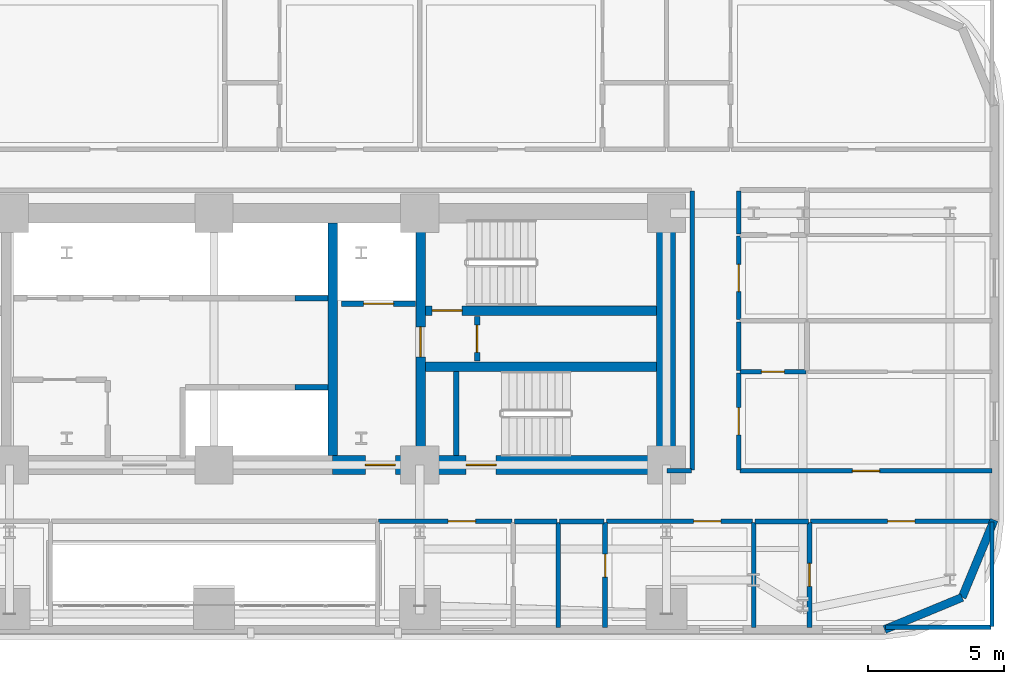
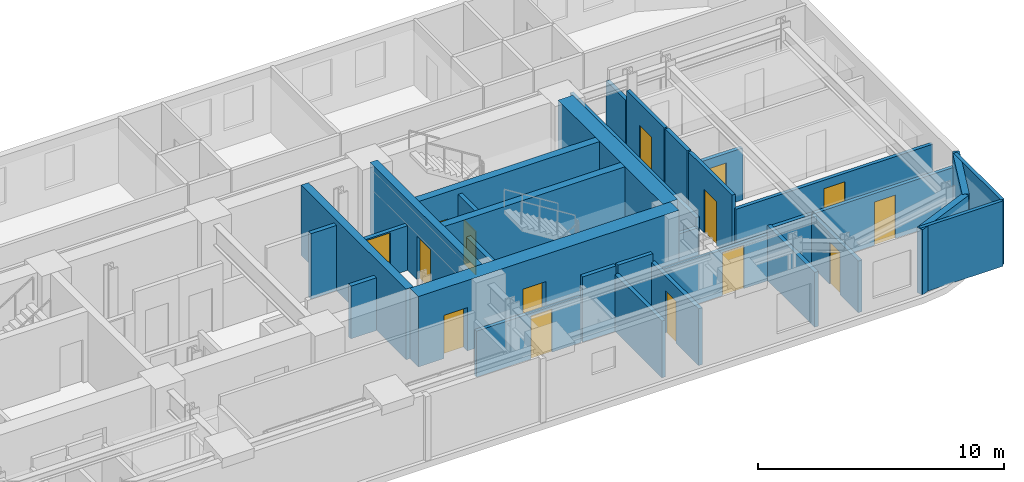
# One storey, part 10 of 16: 33 walls, 15 doors, 15 openings.
"""IFC4 building model written with IfcOpenShell, lengths in metres."""

from ifc_helpers import new_model, si_unit, direction, frame, frame_2d, origin, place, context, subcontext, project, spatial, rectangle, extrude, material, layer, layer_set, type_object, element, fill, save


model = new_model("IFC4")

# Units and contexts
model_context = context("Model", 3, precision=1e-05, world=origin(), true_north=direction((0.0, 1.0)))
body_context = subcontext(model_context, "Body", "Model", "MODEL_VIEW")
ifc_project = project(units=[si_unit("LENGTHUNIT", "METRE"), si_unit("AREAUNIT", "SQUARE_METRE"), si_unit("VOLUMEUNIT", "CUBIC_METRE"), si_unit("PLANEANGLEUNIT", "RADIAN"), si_unit("MASSUNIT", "GRAM", prefix="KILO")], contexts=[model_context])

# Site, building, storey
site_placement = place(None, origin())
site = spatial("IfcSite", under=ifc_project, at=site_placement, CompositionType="ELEMENT")
building_placement = place(site_placement, origin())
building = spatial("IfcBuilding", under=site, at=building_placement, Name="Zarnavel Station Tower", CompositionType="ELEMENT")
storey_placement = place(building_placement, frame((0.0, 0.0, 39.5)))
storey = spatial("IfcBuildingStorey", under=building, at=storey_placement, Name="L10", CompositionType="ELEMENT", Elevation=39.5)

# Wall
ifc_material_1 = material(Name="Concrete C50/60", Category="concrete")
ifc_layer_1 = layer(ifc_material_1, 0.35009765625)
ifc_layer_set_1 = layer_set([ifc_layer_1], Name="CW_350")
wall_type_1 = type_object("IfcWallType", Name="CW_350", PredefinedType="SHEAR", material=ifc_layer_set_1)
wall_1_placement = place(storey_placement, frame((33.14990234375, 28.169921875, 0.0), z_axis=(0.0, 0.0, 1.0), x_axis=(0.0, 1.0, 0.0)))
element("IfcWall", 1, at=wall_1_placement, inside=storey, type_object=wall_type_1, Name="L10 Rear Core Shear Wall DIV-E", PredefinedType="SHEAR", context=body_context, shape_type="SweptSolid", body=[
    extrude(rectangle(XDim=8.530029296875, YDim=0.35009765625, at=frame_2d((4.26513671875, 0.0))), origin(), (0.0, 0.0, 1.0), 3.5),
])

# Wall, opening, door
wall_2_placement = place(storey_placement, frame((36.3798828125, 28.169921875, 0.0), z_axis=(0.0, 0.0, 1.0), x_axis=(0.0, 1.0, 0.0)))
wall_2 = element("IfcWall", 2, at=wall_2_placement, inside=storey, type_object=wall_type_1, Name="L10 Rear Core Shear Wall DIV-S2", PredefinedType="SHEAR", context=body_context, shape_type="SweptSolid", body=[
    extrude(rectangle(XDim=8.530029296875, YDim=0.35009765625, at=frame_2d((4.26513671875, 0.0))), origin(), (0.0, 0.0, 1.0), 3.5),
])
opening_1_placement = place(wall_2_placement, frame((3.610107421875, 0.0, 0.0)))
opening_1 = element("IfcOpeningElement", 3, at=opening_1_placement, cuts=wall_2, Name="Opening FD01", PredefinedType="OPENING", context=body_context, shape_type="SweptSolid", body=[
    extrude(rectangle(XDim=1.10009765625, YDim=2.14990234375, at=frame_2d((0.550048828125, 1.074951171875))), frame((0.0, 0.18505859375, 0.0), z_axis=(0.0, -1.0, 0.0), x_axis=(1.0, 0.0, 0.0)), (0.0, 0.0, 1.0), 0.3701171875),
])
ifc_material_2 = material(Name="Painted Galvanised Steel and Hardwood Leaf", Category="steel")
door_type_1 = type_object("IfcDoorType", Name="ID_STAIR_1100", OperationType="NOTDEFINED", PredefinedType="DOOR", material=ifc_material_2)
door_1_placement = place(opening_1_placement, origin())
door_1 = element("IfcDoor", 4, at=door_1_placement, inside=storey, type_object=door_type_1, Name="L10 East Stair Vestibule Fire Door", OperationType="SINGLE_SWING_LEFT", OverallHeight=2.14990234375, OverallWidth=1.10009765625, PredefinedType="DOOR", context=body_context, shape_type="SweptSolid", body=[
    extrude(rectangle(XDim=1.10009765625, YDim=2.14990234375, at=frame_2d((0.550048828125, 1.074951171875))), frame((0.0, 0.02490234375, 0.0), z_axis=(0.0, -1.0, 0.0), x_axis=(1.0, 0.0, 0.0)), (0.0, 0.0, 1.0), 0.050048828125),
])
fill(opening_1, door_1)

wall_3_placement = place(storey_placement, frame((45.030029296875, 33.47998046875, 0.0), z_axis=(0.0, 0.0, 1.0), x_axis=(-1.0, 0.0, 0.0)))
wall_3 = element("IfcWall", 5, at=wall_3_placement, inside=storey, type_object=wall_type_1, Name="L10 Rear Core Shear Wall DIV-H2", PredefinedType="SHEAR", context=body_context, shape_type="SweptSolid", body=[
    extrude(rectangle(XDim=8.47509765625, YDim=0.35009765625, at=frame_2d((4.237548828125, 0.0))), origin(), (0.0, 0.0, 1.0), 3.5),
])
opening_2_placement = place(wall_3_placement, frame((7.1298828125, 0.0, 0.0)))
opening_2 = element("IfcOpeningElement", 6, at=opening_2_placement, cuts=wall_3, Name="Opening FD01", PredefinedType="OPENING", context=body_context, shape_type="SweptSolid", body=[
    extrude(rectangle(XDim=1.10009765625, YDim=2.14990234375, at=frame_2d((0.550048828125, 1.074951171875))), frame((0.0, 0.18505859375, 0.0), z_axis=(0.0, -1.0, 0.0), x_axis=(1.0, 0.0, 0.0)), (0.0, 0.0, 1.0), 0.3701171875),
])
door_2_placement = place(opening_2_placement, origin())
door_2 = element("IfcDoor", 7, at=door_2_placement, inside=storey, type_object=door_type_1, Name="L10 Stair ST2 Lobby Fire Door", OperationType="SINGLE_SWING_RIGHT", OverallHeight=2.14990234375, OverallWidth=1.10009765625, PredefinedType="DOOR", context=body_context, shape_type="SweptSolid", body=[
    extrude(rectangle(XDim=1.10009765625, YDim=2.14990234375, at=frame_2d((0.550048828125, 1.074951171875))), frame((0.0, 0.02490234375, 0.0), z_axis=(0.0, -1.0, 0.0), x_axis=(1.0, 0.0, 0.0)), (0.0, 0.0, 1.0), 0.050048828125),
])
fill(opening_2, door_2)

# Wall
wall_4_placement = place(storey_placement, frame((36.554931640625, 31.419921875, 0.0), z_axis=(0.0, 0.0, 1.0), x_axis=(1.0, 0.0, 0.0)))
element("IfcWall", 8, at=wall_4_placement, inside=storey, type_object=wall_type_1, Name="L10 Rear Core Shear Wall DIV-H3", PredefinedType="SHEAR", context=body_context, shape_type="SweptSolid", body=[
    extrude(rectangle(XDim=8.47509765625, YDim=0.35009765625, at=frame_2d((4.237548828125, 0.0))), origin(), (0.0, 0.0, 1.0), 3.5),
])

# Wall, openings, doors
ifc_material_3 = material(Name="Concrete C60/75", Category="concrete")
ifc_layer_2 = layer(ifc_material_3, 0.699951171875)
ifc_layer_set_2 = layer_set([ifc_layer_2], Name="CW_700")
wall_type_2 = type_object("IfcWallType", Name="CW_700", PredefinedType="SHEAR", material=ifc_layer_set_2)
wall_5_placement = place(storey_placement, frame((45.3798828125, 27.820068359375, 0.0), z_axis=(0.0, 0.0, 1.0), x_axis=(-1.0, 0.0, 0.0)))
wall_5 = element("IfcWall", 9, at=wall_5_placement, inside=storey, type_object=wall_type_2, Name="L10 Rear Core Shear Wall S-E", PredefinedType="SHEAR", context=body_context, shape_type="SweptSolid", body=[
    extrude(rectangle(XDim=12.22998046875, YDim=0.699951171875, at=frame_2d((6.114990234375, 0.0))), origin(), (0.0, 0.0, 1.0), 3.5),
])
opening_3_placement = place(wall_5_placement, frame((9.929931640625, 0.0, 0.0)))
opening_3 = element("IfcOpeningElement", 10, at=opening_3_placement, cuts=wall_5, Name="Opening FD01", PredefinedType="OPENING", context=body_context, shape_type="SweptSolid", body=[
    extrude(rectangle(XDim=1.10009765625, YDim=2.14990234375, at=frame_2d((0.550048828125, 1.074951171875))), frame((0.0, 0.35986328125, 0.0), z_axis=(0.0, -1.0, 0.0), x_axis=(1.0, 0.0, 0.0)), (0.0, 0.0, 1.0), 0.719970703125),
])
opening_4_placement = place(wall_5_placement, frame((6.22998046875, 0.0, 0.0)))
opening_4 = element("IfcOpeningElement", 11, at=opening_4_placement, cuts=wall_5, Name="Opening FD01", PredefinedType="OPENING", context=body_context, shape_type="SweptSolid", body=[
    extrude(rectangle(XDim=1.10009765625, YDim=2.14990234375, at=frame_2d((0.550048828125, 1.074951171875))), frame((0.0, 0.35986328125, 0.0), z_axis=(0.0, -1.0, 0.0), x_axis=(1.0, 0.0, 0.0)), (0.0, 0.0, 1.0), 0.719970703125),
])
door_3_placement = place(opening_3_placement, origin())
door_3 = element("IfcDoor", 12, at=door_3_placement, inside=storey, type_object=door_type_1, Name="L10 East Firefighting Lobby Door", OperationType="SINGLE_SWING_LEFT", OverallHeight=2.14990234375, OverallWidth=1.10009765625, PredefinedType="DOOR", context=body_context, shape_type="SweptSolid", body=[
    extrude(rectangle(XDim=1.10009765625, YDim=2.14990234375, at=frame_2d((0.550048828125, 1.074951171875))), frame((0.0, 0.02490234375, 0.0), z_axis=(0.0, -1.0, 0.0), x_axis=(1.0, 0.0, 0.0)), (0.0, 0.0, 1.0), 0.050048828125),
])
fill(opening_3, door_3)
door_4_placement = place(opening_4_placement, origin())
door_4 = element("IfcDoor", 13, at=door_4_placement, inside=storey, type_object=door_type_1, Name="L10 Stair ST3 Corridor Fire Door", OperationType="SINGLE_SWING_RIGHT", OverallHeight=2.14990234375, OverallWidth=1.10009765625, PredefinedType="DOOR", context=body_context, shape_type="SweptSolid", body=[
    extrude(rectangle(XDim=1.10009765625, YDim=2.14990234375, at=frame_2d((0.550048828125, 1.074951171875))), frame((0.0, 0.02490234375, 0.0), z_axis=(0.0, -1.0, 0.0), x_axis=(1.0, 0.0, 0.0)), (0.0, 0.0, 1.0), 0.050048828125),
])
fill(opening_4, door_4)

# Walls
wall_6_placement = place(storey_placement, frame((45.3798828125, 28.169921875, 0.0), z_axis=(0.0, 0.0, 1.0), x_axis=(0.0, 1.0, 0.0)))
element("IfcWall", 14, at=wall_6_placement, inside=storey, type_object=wall_type_2, Name="L10 Rear Core Shear Wall E", PredefinedType="SHEAR", context=body_context, shape_type="SweptSolid", body=[
    extrude(rectangle(XDim=8.530029296875, YDim=0.699951171875, at=frame_2d((4.26513671875, 0.0))), origin(), (0.0, 0.0, 1.0), 3.5),
])
ifc_material_4 = material(Name="Precast concrete C45/55 (Dark Basalt Finish)", Category="masonry")
ifc_layer_3 = layer(ifc_material_4, 0.300048828125)
ifc_layer_set_3 = layer_set([ifc_layer_3], Name="EW_BASALT_300")
wall_type_3 = type_object("IfcWallType", Name="EW_BASALT_300", PredefinedType="SOLIDWALL", material=ifc_layer_set_3)
wall_7_placement = place(storey_placement, frame((56.24267578125, 22.95751953125, 0.0), z_axis=(0.0, 0.0, 1.0), x_axis=(-0.923882414032, -0.382676475685, 0.0)))
element("IfcWall", 15, at=wall_7_placement, inside=storey, type_object=wall_type_3, Name="L10 Exterior Basalt Masonry Frame Wall 01", PredefinedType="SOLIDWALL", context=body_context, shape_type="SweptSolid", body=[
    extrude(rectangle(XDim=3.076904296875, YDim=0.300048828125, at=frame_2d((1.53857421875, 0.0))), origin(), (0.0, 0.0, 1.0), 3.239990234375),
])
wall_8_placement = place(storey_placement, frame((57.419921875, 25.800048828125, 0.0), z_axis=(0.0, 0.0, 1.0), x_axis=(-0.382636798336, -0.92389884758, 0.0)))
element("IfcWall", 16, at=wall_8_placement, inside=storey, type_object=wall_type_3, Name="L10 Exterior Basalt Masonry Frame Wall 02", PredefinedType="SOLIDWALL", context=body_context, shape_type="SweptSolid", body=[
    extrude(rectangle(XDim=3.07666015625, YDim=0.300048828125, at=frame_2d((1.538330078125, 0.0))), origin(), (0.0, 0.0, 1.0), 3.239990234375),
])

# Wall, opening, door
ifc_material_5 = material(Name="Gypsum Twin-Stud Acoustic Fire Partition", Category="concrete")
ifc_layer_4 = layer(ifc_material_5, 0.159912109375)
ifc_layer_set_4 = layer_set([ifc_layer_4], Name="PT_DEMISE_160")
wall_type_4 = type_object("IfcWallType", Name="PT_DEMISE_160", PredefinedType="PARTITIONING", material=ifc_layer_set_4)
wall_9_placement = place(storey_placement, frame((48.090087890625, 27.60009765625, 0.0), z_axis=(0.0, 0.0, 1.0), x_axis=(1.0, 0.0, 0.0)))
wall_9 = element("IfcWall", 17, at=wall_9_placement, inside=storey, type_object=wall_type_4, Name="L10 Partition COR-S-FNE1R", PredefinedType="PARTITIONING", context=body_context, shape_type="SweptSolid", body=[
    extrude(rectangle(XDim=9.25, YDim=0.159912109375, at=frame_2d((4.625, 0.0))), origin(), (0.0, 0.0, 1.0), 2.570068359375),
])
opening_5_placement = place(wall_9_placement, frame((4.125, 0.0, 0.0)))
opening_5 = element("IfcOpeningElement", 18, at=opening_5_placement, cuts=wall_9, Name="Opening FD02", PredefinedType="OPENING", context=body_context, shape_type="SweptSolid", body=[
    extrude(rectangle(XDim=1.0, YDim=2.14990234375, at=frame_2d((0.5, 1.074951171875))), frame((0.0, 0.08984375, 0.0), z_axis=(0.0, -1.0, 0.0), x_axis=(1.0, 0.0, 0.0)), (0.0, 0.0, 1.0), 0.179931640625),
])
ifc_material_6 = material(Name="Painted Galvanised Steel and Hardwood Leaf", Category="steel")
door_type_2 = type_object("IfcDoorType", Name="ID_ENTRY_1000", OperationType="NOTDEFINED", PredefinedType="DOOR", material=ifc_material_6)
door_5_placement = place(opening_5_placement, origin())
door_5 = element("IfcDoor", 19, at=door_5_placement, inside=storey, type_object=door_type_2, Name="L10 Door COR-S-FNE1R", OperationType="SINGLE_SWING_RIGHT", OverallHeight=2.14990234375, OverallWidth=1.0, PredefinedType="DOOR", context=body_context, shape_type="SweptSolid", body=[
    extrude(rectangle(XDim=1.0, YDim=2.14990234375, at=frame_2d((0.5, 1.074951171875))), frame((0.0, 0.02490234375, 0.0), z_axis=(0.0, -1.0, 0.0), x_axis=(1.0, 0.0, 0.0)), (0.0, 0.0, 1.0), 0.050048828125),
])
fill(opening_5, door_5)

wall_10_placement = place(storey_placement, frame((34.840087890625, 25.75, 0.0), z_axis=(0.0, 0.0, 1.0), x_axis=(1.0, 0.0, 0.0)))
wall_10 = element("IfcWall", 20, at=wall_10_placement, inside=storey, type_object=wall_type_4, Name="L10 Partition COR-S-HE1R", PredefinedType="PARTITIONING", context=body_context, shape_type="SweptSolid", body=[
    extrude(rectangle(XDim=4.89892578125, YDim=0.159912109375, at=frame_2d((2.449462890625, 0.0))), origin(), (0.0, 0.0, 1.0), 2.280029296875),
])
opening_6_placement = place(wall_10_placement, frame((2.552734375, 0.0, 0.0)))
opening_6 = element("IfcOpeningElement", 21, at=opening_6_placement, cuts=wall_10, Name="Opening FD02", PredefinedType="OPENING", context=body_context, shape_type="SweptSolid", body=[
    extrude(rectangle(XDim=1.0, YDim=2.14990234375, at=frame_2d((0.5, 1.074951171875))), frame((0.0, 0.08984375, 0.0), z_axis=(0.0, -1.0, 0.0), x_axis=(1.0, 0.0, 0.0)), (0.0, 0.0, 1.0), 0.179931640625),
])
door_6_placement = place(opening_6_placement, origin())
door_6 = element("IfcDoor", 22, at=door_6_placement, inside=storey, type_object=door_type_2, Name="L10 Door COR-S-HE1R", OperationType="SINGLE_SWING_RIGHT", OverallHeight=2.14990234375, OverallWidth=1.0, PredefinedType="DOOR", context=body_context, shape_type="SweptSolid", body=[
    extrude(rectangle(XDim=1.0, YDim=2.14990234375, at=frame_2d((0.5, 1.074951171875))), frame((0.0, 0.02490234375, 0.0), z_axis=(0.0, -1.0, 0.0), x_axis=(1.0, 0.0, 0.0)), (0.0, 0.0, 1.0), 0.050048828125),
])
fill(opening_6, door_6)

wall_11_placement = place(storey_placement, frame((43.18994140625, 25.75, 0.0), z_axis=(0.0, 0.0, 1.0), x_axis=(1.0, 0.0, 0.0)))
wall_11 = element("IfcWall", 23, at=wall_11_placement, inside=storey, type_object=wall_type_4, Name="L10 Partition COR-S-HE2R", PredefinedType="PARTITIONING", context=body_context, shape_type="SweptSolid", body=[
    extrude(rectangle(XDim=5.3701171875, YDim=0.159912109375, at=frame_2d((2.68505859375, 0.0))), origin(), (0.0, 0.0, 1.0), 2.280029296875),
])
opening_7_placement = place(wall_11_placement, frame((3.20751953125, 0.0, 0.0)))
opening_7 = element("IfcOpeningElement", 24, at=opening_7_placement, cuts=wall_11, Name="Opening FD02", PredefinedType="OPENING", context=body_context, shape_type="SweptSolid", body=[
    extrude(rectangle(XDim=1.0, YDim=2.14990234375, at=frame_2d((0.5, 1.074951171875))), frame((0.0, 0.08984375, 0.0), z_axis=(0.0, -1.0, 0.0), x_axis=(1.0, 0.0, 0.0)), (0.0, 0.0, 1.0), 0.179931640625),
])
door_7_placement = place(opening_7_placement, origin())
door_7 = element("IfcDoor", 25, at=door_7_placement, inside=storey, type_object=door_type_2, Name="L10 Door COR-S-HE2R", OperationType="SINGLE_SWING_LEFT", OverallHeight=2.14990234375, OverallWidth=1.0, PredefinedType="DOOR", context=body_context, shape_type="SweptSolid", body=[
    extrude(rectangle(XDim=1.0, YDim=2.14990234375, at=frame_2d((0.5, 1.074951171875))), frame((0.0, 0.02490234375, 0.0), z_axis=(0.0, -1.0, 0.0), x_axis=(1.0, 0.0, 0.0)), (0.0, 0.0, 1.0), 0.050048828125),
])
fill(opening_7, door_7)

wall_12_placement = place(storey_placement, frame((50.68994140625, 25.75, 0.0), z_axis=(0.0, 0.0, 1.0), x_axis=(1.0, 0.0, 0.0)))
wall_12 = element("IfcWall", 26, at=wall_12_placement, inside=storey, type_object=wall_type_4, Name="L10 Partition COR-S-HE3R", PredefinedType="PARTITIONING", context=body_context, shape_type="SweptSolid", body=[
    extrude(rectangle(XDim=6.650146484375, YDim=0.159912109375, at=frame_2d((3.3251953125, 0.0))), origin(), (0.0, 0.0, 1.0), 2.570068359375),
])
opening_8_placement = place(wall_12_placement, frame((2.824951171875, 0.0, 0.0)))
opening_8 = element("IfcOpeningElement", 27, at=opening_8_placement, cuts=wall_12, Name="Opening FD02", PredefinedType="OPENING", context=body_context, shape_type="SweptSolid", body=[
    extrude(rectangle(XDim=1.0, YDim=2.14990234375, at=frame_2d((0.5, 1.074951171875))), frame((0.0, 0.08984375, 0.0), z_axis=(0.0, -1.0, 0.0), x_axis=(1.0, 0.0, 0.0)), (0.0, 0.0, 1.0), 0.179931640625),
])
door_8_placement = place(opening_8_placement, origin())
door_8 = element("IfcDoor", 28, at=door_8_placement, inside=storey, type_object=door_type_2, Name="L10 Door COR-S-HE3R", OperationType="SINGLE_SWING_RIGHT", OverallHeight=2.14990234375, OverallWidth=1.0, PredefinedType="DOOR", context=body_context, shape_type="SweptSolid", body=[
    extrude(rectangle(XDim=1.0, YDim=2.14990234375, at=frame_2d((0.5, 1.074951171875))), frame((0.0, 0.02490234375, 0.0), z_axis=(0.0, -1.0, 0.0), x_axis=(1.0, 0.0, 0.0)), (0.0, 0.0, 1.0), 0.050048828125),
])
fill(opening_8, door_8)

wall_13_placement = place(storey_placement, frame((48.050048828125, 27.639892578125, 0.0), z_axis=(0.0, 0.0, 1.0), x_axis=(0.0, 1.0, 0.0)))
wall_13 = element("IfcWall", 29, at=wall_13_placement, inside=storey, type_object=wall_type_4, Name="L10 Partition COR-E-FNE1R", PredefinedType="PARTITIONING", context=body_context, shape_type="SweptSolid", body=[
    extrude(rectangle(XDim=3.55615234375, YDim=0.159912109375, at=frame_2d((1.778076171875, 0.0))), origin(), (0.0, 0.0, 1.0), 3.239990234375),
])
opening_9_placement = place(wall_13_placement, frame((1.278076171875, 0.0, 0.0)))
opening_9 = element("IfcOpeningElement", 30, at=opening_9_placement, cuts=wall_13, Name="Opening FD02", PredefinedType="OPENING", context=body_context, shape_type="SweptSolid", body=[
    extrude(rectangle(XDim=1.0, YDim=2.14990234375, at=frame_2d((0.5, 1.074951171875))), frame((0.0, 0.08984375, 0.0), z_axis=(0.0, -1.0, 0.0), x_axis=(1.0, 0.0, 0.0)), (0.0, 0.0, 1.0), 0.179931640625),
])
door_9_placement = place(opening_9_placement, origin())
door_9 = element("IfcDoor", 31, at=door_9_placement, inside=storey, type_object=door_type_2, Name="L10 Door COR-E-FNE1R", OperationType="SINGLE_SWING_LEFT", OverallHeight=2.14990234375, OverallWidth=1.0, PredefinedType="DOOR", context=body_context, shape_type="SweptSolid", body=[
    extrude(rectangle(XDim=1.0, YDim=2.14990234375, at=frame_2d((0.5, 1.074951171875))), frame((0.0, 0.02490234375, 0.0), z_axis=(0.0, -1.0, 0.0), x_axis=(1.0, 0.0, 0.0)), (0.0, 0.0, 1.0), 0.050048828125),
])
fill(opening_9, door_9)

wall_14_placement = place(storey_placement, frame((48.050048828125, 33.14892578125, 0.0), z_axis=(0.0, 0.0, 1.0), x_axis=(0.0, 1.0, 0.0)))
wall_14 = element("IfcWall", 32, at=wall_14_placement, inside=storey, type_object=wall_type_4, Name="L10 Partition COR-E-FNE2R", PredefinedType="PARTITIONING", context=body_context, shape_type="SweptSolid", body=[
    extrude(rectangle(XDim=3.06103515625, YDim=0.159912109375, at=frame_2d((1.530517578125, 0.0))), origin(), (0.0, 0.0, 1.0), 3.239990234375),
])
opening_10_placement = place(wall_14_placement, frame((1.030517578125, 0.0, 0.0)))
opening_10 = element("IfcOpeningElement", 33, at=opening_10_placement, cuts=wall_14, Name="Opening FD02", PredefinedType="OPENING", context=body_context, shape_type="SweptSolid", body=[
    extrude(rectangle(XDim=1.0, YDim=2.14990234375, at=frame_2d((0.5, 1.074951171875))), frame((0.0, 0.08984375, 0.0), z_axis=(0.0, -1.0, 0.0), x_axis=(1.0, 0.0, 0.0)), (0.0, 0.0, 1.0), 0.179931640625),
])
door_10_placement = place(opening_10_placement, origin())
door_10 = element("IfcDoor", 34, at=door_10_placement, inside=storey, type_object=door_type_2, Name="L10 Door COR-E-FNE2R", OperationType="SINGLE_SWING_RIGHT", OverallHeight=2.14990234375, OverallWidth=1.0, PredefinedType="DOOR", context=body_context, shape_type="SweptSolid", body=[
    extrude(rectangle(XDim=1.0, YDim=2.14990234375, at=frame_2d((0.5, 1.074951171875))), frame((0.0, 0.02490234375, 0.0), z_axis=(0.0, -1.0, 0.0), x_axis=(1.0, 0.0, 0.0)), (0.0, 0.0, 1.0), 0.050048828125),
])
fill(opening_10, door_10)

# Walls
wall_15_placement = place(storey_placement, frame((45.409912109375, 27.60009765625, 0.0), z_axis=(0.0, 0.0, 1.0), x_axis=(1.0, 0.0, 0.0)))
element("IfcWall", 35, at=wall_15_placement, inside=storey, type_object=wall_type_4, Name="L10 Enclosure Wall COR-S", PredefinedType="PARTITIONING", context=body_context, shape_type="SweptSolid", body=[
    extrude(rectangle(XDim=0.91015625, YDim=0.159912109375, at=frame_2d((0.455078125, 0.0))), origin(), (0.0, 0.0, 1.0), 2.280029296875),
])
wall_16_placement = place(storey_placement, frame((46.35009765625, 27.6298828125, 0.0), z_axis=(0.0, 0.0, 1.0), x_axis=(0.0, 1.0, 0.0)))
element("IfcWall", 36, at=wall_16_placement, inside=storey, type_object=wall_type_4, Name="L10 Enclosure Wall COR-E", PredefinedType="PARTITIONING", context=body_context, shape_type="SweptSolid", body=[
    extrude(rectangle(XDim=10.240234375, YDim=0.159912109375, at=frame_2d((5.1201171875, 0.0))), origin(), (0.0, 0.0, 1.0), 2.719970703125),
])
wall_17_placement = place(storey_placement, frame((53.429931640625, 21.860107421875, 0.0), z_axis=(0.0, 0.0, 1.0), x_axis=(1.0, 0.0, 0.0)))
element("IfcWall", 37, at=wall_17_placement, inside=storey, type_object=wall_type_4, Name="L10 Enclosure Wall HE3R", PredefinedType="PARTITIONING", context=body_context, shape_type="SweptSolid", body=[
    extrude(rectangle(XDim=3.880126953125, YDim=0.159912109375, at=frame_2d((1.93994140625, 0.0))), origin(), (0.0, 0.0, 1.0), 3.239990234375),
])
wall_18_placement = place(storey_placement, frame((57.340087890625, 21.889892578125, 0.0), z_axis=(0.0, 0.0, 1.0), x_axis=(0.0, 1.0, 0.0)))
element("IfcWall", 38, at=wall_18_placement, inside=storey, type_object=wall_type_4, Name="L10 Enclosure Wall HE3R", PredefinedType="PARTITIONING", context=body_context, shape_type="SweptSolid", body=[
    extrude(rectangle(XDim=3.830078125, YDim=0.159912109375, at=frame_2d((1.9150390625, 0.0))), origin(), (0.0, 0.0, 1.0), 3.239990234375),
])

# Wall, opening, door
ifc_material_7 = material(Name="Precast concrete C45/55 (Fire Shaft Blockwork)", Category="masonry")
ifc_layer_5 = layer(ifc_material_7, 0.199951171875)
ifc_layer_set_5 = layer_set([ifc_layer_5], Name="PT_SHAFT_200")
wall_type_5 = type_object("IfcWallType", Name="PT_SHAFT_200", PredefinedType="PARTITIONING", material=ifc_layer_set_5)
wall_19_placement = place(storey_placement, frame((33.47509765625, 33.72998046875, 0.0), z_axis=(0.0, 0.0, 1.0), x_axis=(1.0, 0.0, 0.0)))
wall_19 = element("IfcWall", 39, at=wall_19_placement, inside=storey, type_object=wall_type_5, Name="L10 Lift FFL-02 Shaft Front Wall", PredefinedType="PARTITIONING", context=body_context, shape_type="SweptSolid", body=[
    extrude(rectangle(XDim=2.724853515625, YDim=0.199951171875, at=frame_2d((1.3623046875, 0.0))), origin(), (0.0, 0.0, 1.0), 2.2119140625),
])
opening_11_placement = place(wall_19_placement, frame((0.8125, 0.0, 0.0)))
opening_11 = element("IfcOpeningElement", 40, at=opening_11_placement, cuts=wall_19, Name="Opening LD01", PredefinedType="OPENING", context=body_context, shape_type="SweptSolid", body=[
    extrude(rectangle(XDim=1.10009765625, YDim=2.14990234375, at=frame_2d((0.550048828125, 1.074951171875))), frame((0.0, 0.10986328125, 0.0), z_axis=(0.0, -1.0, 0.0), x_axis=(1.0, 0.0, 0.0)), (0.0, 0.0, 1.0), 0.219970703125),
])
ifc_material_8 = material(Name="Painted Galvanised Steel and Hardwood Leaf", Category="steel")
door_type_3 = type_object("IfcDoorType", Name="LD_FF_1100", OperationType="DOUBLE_DOOR_SLIDING", PredefinedType="DOOR", material=ifc_material_8)
door_11_placement = place(opening_11_placement, origin())
door_11 = element("IfcDoor", 41, at=door_11_placement, inside=storey, type_object=door_type_3, Name="L10 Lift FFL-02 Sliding Landing Door", OperationType="DOUBLE_DOOR_SLIDING", OverallHeight=2.14990234375, OverallWidth=1.10009765625, PredefinedType="DOOR", context=body_context, shape_type="SweptSolid", body=[
    extrude(rectangle(XDim=1.10009765625, YDim=2.14990234375, at=frame_2d((0.550048828125, 1.074951171875))), frame((0.0, 0.02490234375, 0.0), z_axis=(0.0, -1.0, 0.0), x_axis=(1.0, 0.0, 0.0)), (0.0, 0.0, 1.0), 0.050048828125),
])
fill(opening_11, door_11)

# Walls
wall_20_placement = place(storey_placement, frame((31.77490234375, 30.669921875, 0.0), z_axis=(0.0, 0.0, 1.0), x_axis=(1.0, 0.0, 0.0)))
element("IfcWall", 42, at=wall_20_placement, inside=storey, type_object=wall_type_5, Name="L10 Lift PL-H3 Shaft Front Wall", PredefinedType="PARTITIONING", context=body_context, shape_type="SweptSolid", body=[
    extrude(rectangle(XDim=1.2001953125, YDim=0.199951171875, at=frame_2d((0.60009765625, 0.0))), origin(), (0.0, 0.0, 1.0), 2.6201171875),
])
wall_21_placement = place(storey_placement, frame((31.77490234375, 33.929931640625, 0.0), z_axis=(0.0, 0.0, 1.0), x_axis=(1.0, 0.0, 0.0)))
element("IfcWall", 43, at=wall_21_placement, inside=storey, type_object=wall_type_5, Name="L10 Lift PL-M3 Shaft Front Wall", PredefinedType="PARTITIONING", context=body_context, shape_type="SweptSolid", body=[
    extrude(rectangle(XDim=1.2001953125, YDim=0.199951171875, at=frame_2d((0.60009765625, 0.0))), origin(), (0.0, 0.0, 1.0), 3.239990234375),
])
wall_22_placement = place(storey_placement, frame((37.679931640625, 28.169921875, 0.0), z_axis=(0.0, 0.0, 1.0), x_axis=(0.0, 1.0, 0.0)))
element("IfcWall", 44, at=wall_22_placement, inside=storey, type_object=wall_type_5, Name="L10 Stair ST3 West Shaft Wall", PredefinedType="PARTITIONING", context=body_context, shape_type="SweptSolid", body=[
    extrude(rectangle(XDim=3.080078125, YDim=0.199951171875, at=frame_2d((1.5400390625, 0.0))), origin(), (0.0, 0.0, 1.0), 2.6201171875),
])

# Wall, opening, door
wall_23_placement = place(storey_placement, frame((38.449951171875, 31.639892578125, 0.0), z_axis=(0.0, 0.0, 1.0), x_axis=(0.0, 1.0, 0.0)))
wall_23 = element("IfcWall", 45, at=wall_23_placement, inside=storey, type_object=wall_type_5, Name="L10 Partition ESTV-CEA", PredefinedType="PARTITIONING", context=body_context, shape_type="SweptSolid", body=[
    extrude(rectangle(XDim=1.6201171875, YDim=0.199951171875, at=frame_2d((0.81005859375, 0.0))), origin(), (0.0, 0.0, 1.0), 3.239990234375),
])
opening_12_placement = place(wall_23_placement, frame((0.31005859375, 0.0, 0.0)))
opening_12 = element("IfcOpeningElement", 46, at=opening_12_placement, cuts=wall_23, Name="Opening FD02", PredefinedType="OPENING", context=body_context, shape_type="SweptSolid", body=[
    extrude(rectangle(XDim=1.0, YDim=2.14990234375, at=frame_2d((0.5, 1.074951171875))), frame((0.0, 0.10986328125, 0.0), z_axis=(0.0, -1.0, 0.0), x_axis=(1.0, 0.0, 0.0)), (0.0, 0.0, 1.0), 0.219970703125),
])
door_12_placement = place(opening_12_placement, origin())
door_12 = element("IfcDoor", 47, at=door_12_placement, inside=storey, type_object=door_type_2, Name="L10 Door ESTV-CEA", OperationType="SINGLE_SWING_RIGHT", OverallHeight=2.14990234375, OverallWidth=1.0, PredefinedType="DOOR", context=body_context, shape_type="SweptSolid", body=[
    extrude(rectangle(XDim=1.0, YDim=2.14990234375, at=frame_2d((0.5, 1.074951171875))), frame((0.0, 0.02490234375, 0.0), z_axis=(0.0, -1.0, 0.0), x_axis=(1.0, 0.0, 0.0)), (0.0, 0.0, 1.0), 0.050048828125),
])
fill(opening_12, door_12)

# Walls
ifc_material_9 = material(Name="Moisture-Resistant Plumbing Chase Wall", Category="concrete")
ifc_layer_6 = layer(ifc_material_9, 0.179931640625)
ifc_layer_set_6 = layer_set([ifc_layer_6], Name="PW_PLUMB_180")
wall_type_6 = type_object("IfcWallType", Name="PW_PLUMB_180", PredefinedType="PLUMBINGWALL", material=ifc_layer_set_6)
wall_24_placement = place(storey_placement, frame((39.819091796875, 25.75, 0.0), z_axis=(0.0, 0.0, 1.0), x_axis=(1.0, 0.0, 0.0)))
element("IfcWall", 48, at=wall_24_placement, inside=storey, type_object=wall_type_6, Name="L10 Partition COR-S-HE1B", PredefinedType="PLUMBINGWALL", context=body_context, shape_type="SweptSolid", body=[
    extrude(rectangle(XDim=1.56982421875, YDim=0.179931640625, at=frame_2d((0.784912109375, 0.0))), origin(), (0.0, 0.0, 1.0), 3.239990234375),
])
wall_25_placement = place(storey_placement, frame((41.468994140625, 25.75, 0.0), z_axis=(0.0, 0.0, 1.0), x_axis=(1.0, 0.0, 0.0)))
element("IfcWall", 49, at=wall_25_placement, inside=storey, type_object=wall_type_6, Name="L10 Partition COR-S-HE2B", PredefinedType="PLUMBINGWALL", context=body_context, shape_type="SweptSolid", body=[
    extrude(rectangle(XDim=1.64111328125, YDim=0.179931640625, at=frame_2d((0.820556640625, 0.0))), origin(), (0.0, 0.0, 1.0), 3.239990234375),
])
wall_26_placement = place(storey_placement, frame((48.639892578125, 25.75, 0.0), z_axis=(0.0, 0.0, 1.0), x_axis=(1.0, 0.0, 0.0)))
element("IfcWall", 50, at=wall_26_placement, inside=storey, type_object=wall_type_6, Name="L10 Partition COR-S-HE3B", PredefinedType="PLUMBINGWALL", context=body_context, shape_type="SweptSolid", body=[
    extrude(rectangle(XDim=1.97021484375, YDim=0.179931640625, at=frame_2d((0.985107421875, 0.0))), origin(), (0.0, 0.0, 1.0), 2.570068359375),
])
wall_27_placement = place(storey_placement, frame((48.050048828125, 31.27587890625, 0.0), z_axis=(0.0, 0.0, 1.0), x_axis=(0.0, 1.0, 0.0)))
element("IfcWall", 51, at=wall_27_placement, inside=storey, type_object=wall_type_6, Name="L10 Partition COR-E-FNE1B", PredefinedType="PLUMBINGWALL", context=body_context, shape_type="SweptSolid", body=[
    extrude(rectangle(XDim=1.793212890625, YDim=0.179931640625, at=frame_2d((0.896484375, 0.0))), origin(), (0.0, 0.0, 1.0), 3.239990234375),
])
wall_28_placement = place(storey_placement, frame((48.050048828125, 36.2900390625, 0.0), z_axis=(0.0, 0.0, 1.0), x_axis=(0.0, 1.0, 0.0)))
element("IfcWall", 52, at=wall_28_placement, inside=storey, type_object=wall_type_6, Name="L10 Partition COR-E-FNE2B", PredefinedType="PLUMBINGWALL", context=body_context, shape_type="SweptSolid", body=[
    extrude(rectangle(XDim=1.570068359375, YDim=0.179931640625, at=frame_2d((0.78515625, 0.0))), origin(), (0.0, 0.0, 1.0), 2.719970703125),
])

# Wall, opening, door
wall_29_placement = place(storey_placement, frame((48.090087890625, 31.236083984375, 0.0), z_axis=(0.0, 0.0, 1.0), x_axis=(1.0, 0.0, 0.0)))
wall_29 = element("IfcWall", 53, at=wall_29_placement, inside=storey, type_object=wall_type_6, Name="L10 Partition FNE1R-FNE1B", PredefinedType="PLUMBINGWALL", context=body_context, shape_type="SweptSolid", body=[
    extrude(rectangle(XDim=2.419921875, YDim=0.179931640625, at=frame_2d((1.2099609375, 0.0))), origin(), (0.0, 0.0, 1.0), 2.570068359375),
])
opening_13_placement = place(wall_29_placement, frame((0.784912109375, 0.0, 0.0)))
opening_13 = element("IfcOpeningElement", 54, at=opening_13_placement, cuts=wall_29, Name="Opening ID02", PredefinedType="OPENING", context=body_context, shape_type="SweptSolid", body=[
    extrude(rectangle(XDim=0.85009765625, YDim=2.10009765625, at=frame_2d((0.425048828125, 1.050048828125))), frame((0.0, 0.099853515625, 0.0), z_axis=(0.0, -1.0, 0.0), x_axis=(1.0, 0.0, 0.0)), (0.0, 0.0, 1.0), 0.199951171875),
])
ifc_material_10 = material(Name="Painted Galvanised Steel and Hardwood Leaf", Category="steel")
door_type_4 = type_object("IfcDoorType", Name="ID_BATH_850", OperationType="NOTDEFINED", PredefinedType="DOOR", material=ifc_material_10)
door_13_placement = place(opening_13_placement, origin())
door_13 = element("IfcDoor", 55, at=door_13_placement, inside=storey, type_object=door_type_4, Name="L10 Door FNE1R-FNE1B", OperationType="SINGLE_SWING_LEFT", OverallHeight=2.10009765625, OverallWidth=0.85009765625, PredefinedType="DOOR", context=body_context, shape_type="SweptSolid", body=[
    extrude(rectangle(XDim=0.85009765625, YDim=2.10009765625, at=frame_2d((0.425048828125, 1.050048828125))), frame((0.0, 0.02490234375, 0.0), z_axis=(0.0, -1.0, 0.0), x_axis=(1.0, 0.0, 0.0)), (0.0, 0.0, 1.0), 0.050048828125),
])
fill(opening_13, door_13)

# Wall
wall_30_placement = place(storey_placement, frame((41.428955078125, 21.860107421875, 0.0), z_axis=(0.0, 0.0, 1.0), x_axis=(0.0, 1.0, 0.0)))
element("IfcWall", 56, at=wall_30_placement, inside=storey, type_object=wall_type_6, Name="L10 Partition HE1B-HE2B", PredefinedType="PLUMBINGWALL", context=body_context, shape_type="SweptSolid", body=[
    extrude(rectangle(XDim=3.849853515625, YDim=0.179931640625, at=frame_2d((1.9248046875, 0.0))), origin(), (0.0, 0.0, 1.0), 2.820068359375),
])

# Wall, opening, door
wall_31_placement = place(storey_placement, frame((43.14990234375, 21.860107421875, 0.0), z_axis=(0.0, 0.0, 1.0), x_axis=(0.0, 1.0, 0.0)))
wall_31 = element("IfcWall", 57, at=wall_31_placement, inside=storey, type_object=wall_type_6, Name="L10 Partition HE2R-HE2B", PredefinedType="PLUMBINGWALL", context=body_context, shape_type="SweptSolid", body=[
    extrude(rectangle(XDim=3.849853515625, YDim=0.179931640625, at=frame_2d((1.9248046875, 0.0))), origin(), (0.0, 0.0, 1.0), 2.820068359375),
])
opening_14_placement = place(wall_31_placement, frame((1.840087890625, 0.0, 0.0)))
opening_14 = element("IfcOpeningElement", 58, at=opening_14_placement, cuts=wall_31, Name="Opening ID02", PredefinedType="OPENING", context=body_context, shape_type="SweptSolid", body=[
    extrude(rectangle(XDim=0.85009765625, YDim=2.10009765625, at=frame_2d((0.425048828125, 1.050048828125))), frame((0.0, 0.099853515625, 0.0), z_axis=(0.0, -1.0, 0.0), x_axis=(1.0, 0.0, 0.0)), (0.0, 0.0, 1.0), 0.199951171875),
])
door_14_placement = place(opening_14_placement, origin())
door_14 = element("IfcDoor", 59, at=door_14_placement, inside=storey, type_object=door_type_4, Name="L10 Door HE2R-HE2B", OperationType="SINGLE_SWING_LEFT", OverallHeight=2.10009765625, OverallWidth=0.85009765625, PredefinedType="DOOR", context=body_context, shape_type="SweptSolid", body=[
    extrude(rectangle(XDim=0.85009765625, YDim=2.10009765625, at=frame_2d((0.425048828125, 1.050048828125))), frame((0.0, 0.02490234375, 0.0), z_axis=(0.0, -1.0, 0.0), x_axis=(1.0, 0.0, 0.0)), (0.0, 0.0, 1.0), 0.050048828125),
])
fill(opening_14, door_14)

# Wall
wall_32_placement = place(storey_placement, frame((48.60009765625, 21.860107421875, 0.0), z_axis=(0.0, 0.0, 1.0), x_axis=(0.0, 1.0, 0.0)))
element("IfcWall", 60, at=wall_32_placement, inside=storey, type_object=wall_type_6, Name="L10 Partition HE2R-HE3B", PredefinedType="PLUMBINGWALL", context=body_context, shape_type="SweptSolid", body=[
    extrude(rectangle(XDim=3.849853515625, YDim=0.179931640625, at=frame_2d((1.9248046875, 0.0))), origin(), (0.0, 0.0, 1.0), 2.719970703125),
])

# Wall, opening, door
wall_33_placement = place(storey_placement, frame((50.64990234375, 21.860107421875, 0.0), z_axis=(0.0, 0.0, 1.0), x_axis=(0.0, 1.0, 0.0)))
wall_33 = element("IfcWall", 61, at=wall_33_placement, inside=storey, type_object=wall_type_6, Name="L10 Partition HE3R-HE3B", PredefinedType="PLUMBINGWALL", context=body_context, shape_type="SweptSolid", body=[
    extrude(rectangle(XDim=3.849853515625, YDim=0.179931640625, at=frame_2d((1.9248046875, 0.0))), origin(), (0.0, 0.0, 1.0), 2.570068359375),
])
opening_15_placement = place(wall_33_placement, frame((1.5, 0.0, 0.0)))
opening_15 = element("IfcOpeningElement", 62, at=opening_15_placement, cuts=wall_33, Name="Opening ID02", PredefinedType="OPENING", context=body_context, shape_type="SweptSolid", body=[
    extrude(rectangle(XDim=0.85009765625, YDim=2.10009765625, at=frame_2d((0.425048828125, 1.050048828125))), frame((0.0, 0.099853515625, 0.0), z_axis=(0.0, -1.0, 0.0), x_axis=(1.0, 0.0, 0.0)), (0.0, 0.0, 1.0), 0.199951171875),
])
door_15_placement = place(opening_15_placement, origin())
door_15 = element("IfcDoor", 63, at=door_15_placement, inside=storey, type_object=door_type_4, Name="L10 Door HE3R-HE3B", OperationType="SINGLE_SWING_RIGHT", OverallHeight=2.10009765625, OverallWidth=0.85009765625, PredefinedType="DOOR", context=body_context, shape_type="SweptSolid", body=[
    extrude(rectangle(XDim=0.85009765625, YDim=2.10009765625, at=frame_2d((0.425048828125, 1.050048828125))), frame((0.0, 0.02490234375, 0.0), z_axis=(0.0, -1.0, 0.0), x_axis=(1.0, 0.0, 0.0)), (0.0, 0.0, 1.0), 0.050048828125),
])
fill(opening_15, door_15)

save(model, "model.ifc")
